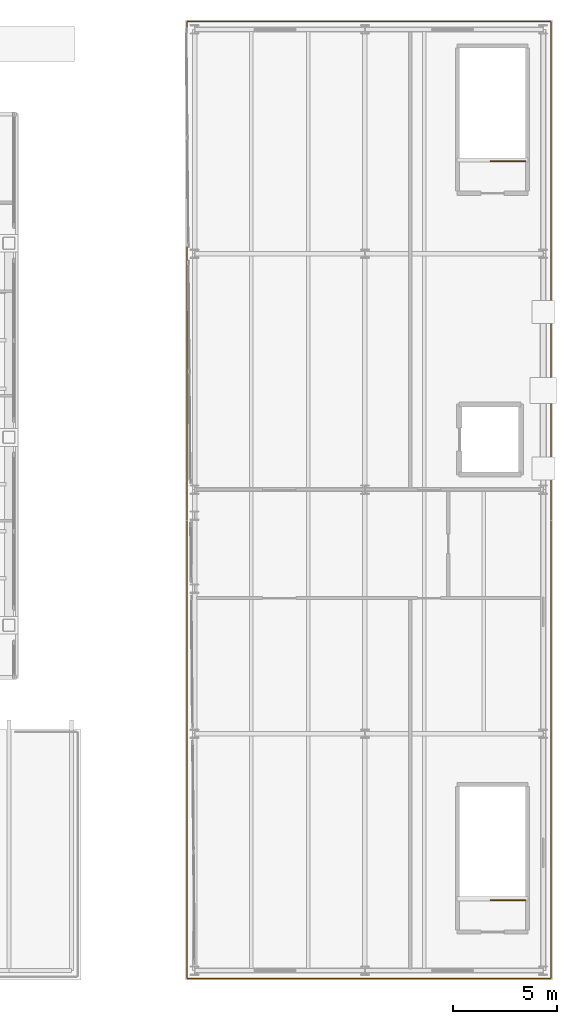
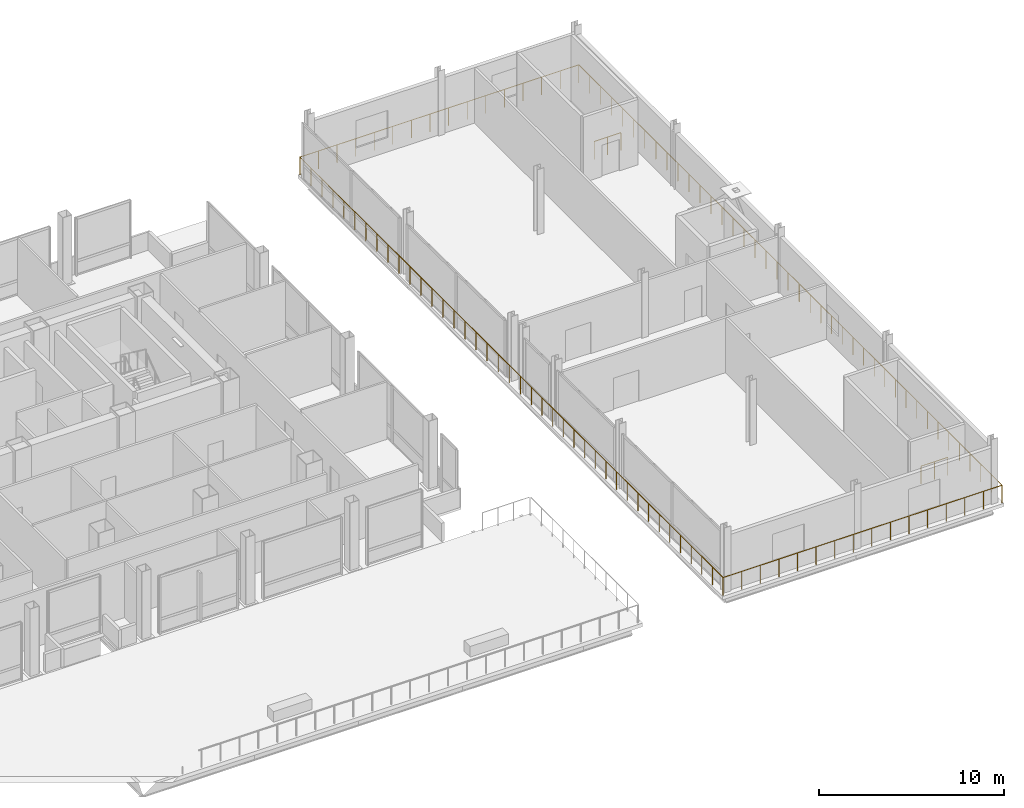
# One storey, part 34 of 34: 4 railings.
"""IFC4 building model written with IfcOpenShell, lengths in metres."""

from ifc_helpers import new_model, si_unit, direction, frame, origin, origin_2d, place, context, subcontext, project, spatial, circle, extrude, material, layer, layer_set, type_object, element, save


model = new_model("IFC4")

# Units and contexts
model_context = context("Model", 3, precision=1e-05, world=origin(), true_north=direction((0.0, 1.0)))
body_context = subcontext(model_context, "Body", "Model", "MODEL_VIEW")
ifc_project = project(units=[si_unit("LENGTHUNIT", "METRE"), si_unit("AREAUNIT", "SQUARE_METRE"), si_unit("VOLUMEUNIT", "CUBIC_METRE"), si_unit("PLANEANGLEUNIT", "RADIAN"), si_unit("MASSUNIT", "GRAM", prefix="KILO")], contexts=[model_context])

# Site, building, storey
site_placement = place(None, origin())
site = spatial("IfcSite", under=ifc_project, at=site_placement, CompositionType="ELEMENT")
building_placement = place(site_placement, origin())
building = spatial("IfcBuilding", under=site, at=building_placement, Name="Noeulbin Bourse Tower", CompositionType="ELEMENT")
storey_placement = place(building_placement, frame((0.0, 0.0, 22.0)))
storey = spatial("IfcBuildingStorey", under=building, at=storey_placement, Name="L05", CompositionType="ELEMENT", Elevation=22.0)

# Railings
ifc_material_1 = material(Name="Painted Tubular Steel S355", Category="steel")
ifc_layer_1 = layer(ifc_material_1, 0.048095703125)
ifc_layer_set_1 = layer_set([ifc_layer_1], Name="Painted Tubular Steel S355")
railing_type_1 = type_object("IfcRailingType", Name="RLG-STR-GRD", PredefinedType="GUARDRAIL", material=ifc_layer_set_1)
for number, where, name in (
    (1, (76.300048828125, 6.830078125, 0.0), "L05 MST-1 top well guard 1"),
    (2, (76.300048828125, 42.22998046875, 0.0), "L05 MST-2 top well guard 1"),
):
    element("IfcRailing", number, at=place(storey_placement, frame(where)), inside=storey, type_object=railing_type_1, Name=name, PredefinedType="GUARDRAIL", context=body_context, shape_type="SweptSolid", body=[
        extrude(circle(Radius=0.02392578125, at=origin_2d()), frame((0.0, 0.0, 1.17578125), z_axis=(-1.0, 0.0, 0.0), x_axis=(0.0, -1.0, 0.0)), (0.0, 0.0, 1.0), 1.679931640625),
        extrude(circle(Radius=0.02099609375, at=origin_2d()), origin(), (0.0, 0.0, 1.0), 1.15185546875),
        extrude(circle(Radius=0.02099609375, at=origin_2d()), frame((-0.83984375, 0.0, 0.0)), (0.0, 0.0, 1.0), 1.15185546875),
        extrude(circle(Radius=0.02099609375, at=origin_2d()), frame((-1.679931640625, 0.0, 0.0)), (0.0, 0.0, 1.0), 1.15185546875),
    ])
ifc_material_2 = material(Name="Stainless Steel 316 Post and Rail", Category="steel")
ifc_layer_2 = layer(ifc_material_2, 0.06005859375)
ifc_layer_set_2 = layer_set([ifc_layer_2], Name="Stainless Steel 316 Post and Rail")
railing_type_2 = type_object("IfcRailingType", Name="RLG-TER-1200", PredefinedType="GUARDRAIL", material=ifc_layer_set_2)
railing_1_placement = place(storey_placement, frame((60.080078125, 25.0, 0.0)))
element("IfcRailing", 3, at=railing_1_placement, inside=storey, type_object=railing_type_2, Name="Market Perimeter Edge Guard L05-1", PredefinedType="GUARDRAIL", context=body_context, shape_type="SweptSolid", body=[
    extrude(circle(Radius=0.02392578125, at=origin_2d()), frame((0.0, 0.0, 1.17578125), z_axis=(0.0, -1.0, 0.0), x_axis=(1.0, 0.0, 0.0)), (0.0, 0.0, 1.0), 21.919921875),
    extrude(circle(Radius=0.02392578125, at=origin_2d()), frame((0.0, -21.919921875, 1.17578125), z_axis=(1.0, 0.0, 0.0), x_axis=(0.0, 1.0, 0.0)), (0.0, 0.0, 1.0), 17.43994140625),
    extrude(circle(Radius=0.02392578125, at=origin_2d()), frame((17.43994140625, -21.919921875, 1.17578125), z_axis=(0.0, 1.0, 0.0), x_axis=(-1.0, 0.0, 0.0)), (0.0, 0.0, 1.0), 21.919921875),
    extrude(circle(Radius=0.02099609375, at=origin_2d()), origin(), (0.0, 0.0, 1.0), 1.15185546875),
    extrude(circle(Radius=0.02099609375, at=origin_2d()), frame((0.0, -1.153564453125, 0.0)), (0.0, 0.0, 1.0), 1.15185546875),
    extrude(circle(Radius=0.02099609375, at=origin_2d()), frame((0.0, -2.307373046875, 0.0)), (0.0, 0.0, 1.0), 1.15185546875),
    extrude(circle(Radius=0.02099609375, at=origin_2d()), frame((0.0, -3.4609375, 0.0)), (0.0, 0.0, 1.0), 1.15185546875),
    extrude(circle(Radius=0.02099609375, at=origin_2d()), frame((0.0, -4.61474609375, 0.0)), (0.0, 0.0, 1.0), 1.15185546875),
    extrude(circle(Radius=0.02099609375, at=origin_2d()), frame((0.0, -5.768310546875, 0.0)), (0.0, 0.0, 1.0), 1.15185546875),
    extrude(circle(Radius=0.02099609375, at=origin_2d()), frame((0.0, -6.922119140625, 0.0)), (0.0, 0.0, 1.0), 1.15185546875),
    extrude(circle(Radius=0.02099609375, at=origin_2d()), frame((0.0, -8.07568359375, 0.0)), (0.0, 0.0, 1.0), 1.15185546875),
    extrude(circle(Radius=0.02099609375, at=origin_2d()), frame((0.0, -9.2294921875, 0.0)), (0.0, 0.0, 1.0), 1.15185546875),
    extrude(circle(Radius=0.02099609375, at=origin_2d()), frame((0.0, -10.383056640625, 0.0)), (0.0, 0.0, 1.0), 1.15185546875),
    extrude(circle(Radius=0.02099609375, at=origin_2d()), frame((0.0, -11.536865234375, 0.0)), (0.0, 0.0, 1.0), 1.15185546875),
    extrude(circle(Radius=0.02099609375, at=origin_2d()), frame((0.0, -12.6904296875, 0.0)), (0.0, 0.0, 1.0), 1.15185546875),
    extrude(circle(Radius=0.02099609375, at=origin_2d()), frame((0.0, -13.84423828125, 0.0)), (0.0, 0.0, 1.0), 1.15185546875),
    extrude(circle(Radius=0.02099609375, at=origin_2d()), frame((0.0, -14.997802734375, 0.0)), (0.0, 0.0, 1.0), 1.15185546875),
    extrude(circle(Radius=0.02099609375, at=origin_2d()), frame((0.0, -16.151611328125, 0.0)), (0.0, 0.0, 1.0), 1.15185546875),
    extrude(circle(Radius=0.02099609375, at=origin_2d()), frame((0.0, -17.30517578125, 0.0)), (0.0, 0.0, 1.0), 1.15185546875),
    extrude(circle(Radius=0.02099609375, at=origin_2d()), frame((0.0, -18.458984375, 0.0)), (0.0, 0.0, 1.0), 1.15185546875),
    extrude(circle(Radius=0.02099609375, at=origin_2d()), frame((0.0, -19.612548828125, 0.0)), (0.0, 0.0, 1.0), 1.15185546875),
    extrude(circle(Radius=0.02099609375, at=origin_2d()), frame((0.0, -20.766357421875, 0.0)), (0.0, 0.0, 1.0), 1.15185546875),
    extrude(circle(Radius=0.02099609375, at=origin_2d()), frame((0.0, -21.919921875, 0.0)), (0.0, 0.0, 1.0), 1.15185546875),
    extrude(circle(Radius=0.02099609375, at=origin_2d()), frame((1.16259765625, -21.919921875, 0.0)), (0.0, 0.0, 1.0), 1.15185546875),
    extrude(circle(Radius=0.02099609375, at=origin_2d()), frame((2.325439453125, -21.919921875, 0.0)), (0.0, 0.0, 1.0), 1.15185546875),
    extrude(circle(Radius=0.02099609375, at=origin_2d()), frame((3.488037109375, -21.919921875, 0.0)), (0.0, 0.0, 1.0), 1.15185546875),
    extrude(circle(Radius=0.02099609375, at=origin_2d()), frame((4.650634765625, -21.919921875, 0.0)), (0.0, 0.0, 1.0), 1.15185546875),
    extrude(circle(Radius=0.02099609375, at=origin_2d()), frame((5.813232421875, -21.919921875, 0.0)), (0.0, 0.0, 1.0), 1.15185546875),
    extrude(circle(Radius=0.02099609375, at=origin_2d()), frame((6.97607421875, -21.919921875, 0.0)), (0.0, 0.0, 1.0), 1.15185546875),
    extrude(circle(Radius=0.02099609375, at=origin_2d()), frame((8.138671875, -21.919921875, 0.0)), (0.0, 0.0, 1.0), 1.15185546875),
    extrude(circle(Radius=0.02099609375, at=origin_2d()), frame((9.30126953125, -21.919921875, 0.0)), (0.0, 0.0, 1.0), 1.15185546875),
    extrude(circle(Radius=0.02099609375, at=origin_2d()), frame((10.4638671875, -21.919921875, 0.0)), (0.0, 0.0, 1.0), 1.15185546875),
    extrude(circle(Radius=0.02099609375, at=origin_2d()), frame((11.626708984375, -21.919921875, 0.0)), (0.0, 0.0, 1.0), 1.15185546875),
    extrude(circle(Radius=0.02099609375, at=origin_2d()), frame((12.789306640625, -21.919921875, 0.0)), (0.0, 0.0, 1.0), 1.15185546875),
    extrude(circle(Radius=0.02099609375, at=origin_2d()), frame((13.951904296875, -21.919921875, 0.0)), (0.0, 0.0, 1.0), 1.15185546875),
    extrude(circle(Radius=0.02099609375, at=origin_2d()), frame((15.114501953125, -21.919921875, 0.0)), (0.0, 0.0, 1.0), 1.15185546875),
    extrude(circle(Radius=0.02099609375, at=origin_2d()), frame((16.27734375, -21.919921875, 0.0)), (0.0, 0.0, 1.0), 1.15185546875),
    extrude(circle(Radius=0.02099609375, at=origin_2d()), frame((17.43994140625, -21.919921875, 0.0)), (0.0, 0.0, 1.0), 1.15185546875),
    extrude(circle(Radius=0.02099609375, at=origin_2d()), frame((17.43994140625, -20.766357421875, 0.0)), (0.0, 0.0, 1.0), 1.15185546875),
    extrude(circle(Radius=0.02099609375, at=origin_2d()), frame((17.43994140625, -19.612548828125, 0.0)), (0.0, 0.0, 1.0), 1.15185546875),
    extrude(circle(Radius=0.02099609375, at=origin_2d()), frame((17.43994140625, -18.458984375, 0.0)), (0.0, 0.0, 1.0), 1.15185546875),
    extrude(circle(Radius=0.02099609375, at=origin_2d()), frame((17.43994140625, -17.30517578125, 0.0)), (0.0, 0.0, 1.0), 1.15185546875),
    extrude(circle(Radius=0.02099609375, at=origin_2d()), frame((17.43994140625, -16.151611328125, 0.0)), (0.0, 0.0, 1.0), 1.15185546875),
    extrude(circle(Radius=0.02099609375, at=origin_2d()), frame((17.43994140625, -14.997802734375, 0.0)), (0.0, 0.0, 1.0), 1.15185546875),
    extrude(circle(Radius=0.02099609375, at=origin_2d()), frame((17.43994140625, -13.84423828125, 0.0)), (0.0, 0.0, 1.0), 1.15185546875),
    extrude(circle(Radius=0.02099609375, at=origin_2d()), frame((17.43994140625, -12.6904296875, 0.0)), (0.0, 0.0, 1.0), 1.15185546875),
    extrude(circle(Radius=0.02099609375, at=origin_2d()), frame((17.43994140625, -11.536865234375, 0.0)), (0.0, 0.0, 1.0), 1.15185546875),
    extrude(circle(Radius=0.02099609375, at=origin_2d()), frame((17.43994140625, -10.383056640625, 0.0)), (0.0, 0.0, 1.0), 1.15185546875),
    extrude(circle(Radius=0.02099609375, at=origin_2d()), frame((17.43994140625, -9.2294921875, 0.0)), (0.0, 0.0, 1.0), 1.15185546875),
    extrude(circle(Radius=0.02099609375, at=origin_2d()), frame((17.43994140625, -8.07568359375, 0.0)), (0.0, 0.0, 1.0), 1.15185546875),
    extrude(circle(Radius=0.02099609375, at=origin_2d()), frame((17.43994140625, -6.922119140625, 0.0)), (0.0, 0.0, 1.0), 1.15185546875),
    extrude(circle(Radius=0.02099609375, at=origin_2d()), frame((17.43994140625, -5.768310546875, 0.0)), (0.0, 0.0, 1.0), 1.15185546875),
    extrude(circle(Radius=0.02099609375, at=origin_2d()), frame((17.43994140625, -4.61474609375, 0.0)), (0.0, 0.0, 1.0), 1.15185546875),
    extrude(circle(Radius=0.02099609375, at=origin_2d()), frame((17.43994140625, -3.4609375, 0.0)), (0.0, 0.0, 1.0), 1.15185546875),
    extrude(circle(Radius=0.02099609375, at=origin_2d()), frame((17.43994140625, -2.307373046875, 0.0)), (0.0, 0.0, 1.0), 1.15185546875),
    extrude(circle(Radius=0.02099609375, at=origin_2d()), frame((17.43994140625, -1.153564453125, 0.0)), (0.0, 0.0, 1.0), 1.15185546875),
    extrude(circle(Radius=0.02099609375, at=origin_2d()), frame((17.43994140625, 0.0, 0.0)), (0.0, 0.0, 1.0), 1.15185546875),
])
railing_2_placement = place(storey_placement, frame((77.52001953125, 25.06005859375, 0.0)))
element("IfcRailing", 4, at=railing_2_placement, inside=storey, type_object=railing_type_2, Name="Market Perimeter Edge Guard L05-2", PredefinedType="GUARDRAIL", context=body_context, shape_type="SweptSolid", body=[
    extrude(circle(Radius=0.02392578125, at=origin_2d()), frame((0.0, 0.0, 1.17578125), z_axis=(0.0, 1.0, 0.0), x_axis=(-1.0, 0.0, 0.0)), (0.0, 0.0, 1.0), 23.85986328125),
    extrude(circle(Radius=0.02392578125, at=origin_2d()), frame((0.0, 23.85986328125, 1.17578125), z_axis=(-1.0, 0.0, 0.0), x_axis=(0.0, -1.0, 0.0)), (0.0, 0.0, 1.0), 17.43994140625),
    extrude(circle(Radius=0.02392578125, at=origin_2d()), frame((-17.43994140625, 23.85986328125, 1.17578125), z_axis=(0.0, -1.0, 0.0), x_axis=(1.0, 0.0, 0.0)), (0.0, 0.0, 1.0), 23.85986328125),
    extrude(circle(Radius=0.02099609375, at=origin_2d()), origin(), (0.0, 0.0, 1.0), 1.15185546875),
    extrude(circle(Radius=0.02099609375, at=origin_2d()), frame((0.0, 1.19287109375, 0.0)), (0.0, 0.0, 1.0), 1.15185546875),
    extrude(circle(Radius=0.02099609375, at=origin_2d()), frame((0.0, 2.385986328125, 0.0)), (0.0, 0.0, 1.0), 1.15185546875),
    extrude(circle(Radius=0.02099609375, at=origin_2d()), frame((0.0, 3.5791015625, 0.0)), (0.0, 0.0, 1.0), 1.15185546875),
    extrude(circle(Radius=0.02099609375, at=origin_2d()), frame((0.0, 4.77197265625, 0.0)), (0.0, 0.0, 1.0), 1.15185546875),
    extrude(circle(Radius=0.02099609375, at=origin_2d()), frame((0.0, 5.96484375, 0.0)), (0.0, 0.0, 1.0), 1.15185546875),
    extrude(circle(Radius=0.02099609375, at=origin_2d()), frame((0.0, 7.157958984375, 0.0)), (0.0, 0.0, 1.0), 1.15185546875),
    extrude(circle(Radius=0.02099609375, at=origin_2d()), frame((0.0, 8.35107421875, 0.0)), (0.0, 0.0, 1.0), 1.15185546875),
    extrude(circle(Radius=0.02099609375, at=origin_2d()), frame((0.0, 9.5439453125, 0.0)), (0.0, 0.0, 1.0), 1.15185546875),
    extrude(circle(Radius=0.02099609375, at=origin_2d()), frame((0.0, 10.73681640625, 0.0)), (0.0, 0.0, 1.0), 1.15185546875),
    extrude(circle(Radius=0.02099609375, at=origin_2d()), frame((0.0, 11.929931640625, 0.0)), (0.0, 0.0, 1.0), 1.15185546875),
    extrude(circle(Radius=0.02099609375, at=origin_2d()), frame((0.0, 13.123046875, 0.0)), (0.0, 0.0, 1.0), 1.15185546875),
    extrude(circle(Radius=0.02099609375, at=origin_2d()), frame((0.0, 14.31591796875, 0.0)), (0.0, 0.0, 1.0), 1.15185546875),
    extrude(circle(Radius=0.02099609375, at=origin_2d()), frame((0.0, 15.5087890625, 0.0)), (0.0, 0.0, 1.0), 1.15185546875),
    extrude(circle(Radius=0.02099609375, at=origin_2d()), frame((0.0, 16.701904296875, 0.0)), (0.0, 0.0, 1.0), 1.15185546875),
    extrude(circle(Radius=0.02099609375, at=origin_2d()), frame((0.0, 17.89501953125, 0.0)), (0.0, 0.0, 1.0), 1.15185546875),
    extrude(circle(Radius=0.02099609375, at=origin_2d()), frame((0.0, 19.087890625, 0.0)), (0.0, 0.0, 1.0), 1.15185546875),
    extrude(circle(Radius=0.02099609375, at=origin_2d()), frame((0.0, 20.28076171875, 0.0)), (0.0, 0.0, 1.0), 1.15185546875),
    extrude(circle(Radius=0.02099609375, at=origin_2d()), frame((0.0, 21.473876953125, 0.0)), (0.0, 0.0, 1.0), 1.15185546875),
    extrude(circle(Radius=0.02099609375, at=origin_2d()), frame((0.0, 22.6669921875, 0.0)), (0.0, 0.0, 1.0), 1.15185546875),
    extrude(circle(Radius=0.02099609375, at=origin_2d()), frame((0.0, 23.85986328125, 0.0)), (0.0, 0.0, 1.0), 1.15185546875),
    extrude(circle(Radius=0.02099609375, at=origin_2d()), frame((-1.16259765625, 23.85986328125, 0.0)), (0.0, 0.0, 1.0), 1.15185546875),
    extrude(circle(Radius=0.02099609375, at=origin_2d()), frame((-2.325439453125, 23.85986328125, 0.0)), (0.0, 0.0, 1.0), 1.15185546875),
    extrude(circle(Radius=0.02099609375, at=origin_2d()), frame((-3.488037109375, 23.85986328125, 0.0)), (0.0, 0.0, 1.0), 1.15185546875),
    extrude(circle(Radius=0.02099609375, at=origin_2d()), frame((-4.650634765625, 23.85986328125, 0.0)), (0.0, 0.0, 1.0), 1.15185546875),
    extrude(circle(Radius=0.02099609375, at=origin_2d()), frame((-5.813232421875, 23.85986328125, 0.0)), (0.0, 0.0, 1.0), 1.15185546875),
    extrude(circle(Radius=0.02099609375, at=origin_2d()), frame((-6.97607421875, 23.85986328125, 0.0)), (0.0, 0.0, 1.0), 1.15185546875),
    extrude(circle(Radius=0.02099609375, at=origin_2d()), frame((-8.138671875, 23.85986328125, 0.0)), (0.0, 0.0, 1.0), 1.15185546875),
    extrude(circle(Radius=0.02099609375, at=origin_2d()), frame((-9.30126953125, 23.85986328125, 0.0)), (0.0, 0.0, 1.0), 1.15185546875),
    extrude(circle(Radius=0.02099609375, at=origin_2d()), frame((-10.4638671875, 23.85986328125, 0.0)), (0.0, 0.0, 1.0), 1.15185546875),
    extrude(circle(Radius=0.02099609375, at=origin_2d()), frame((-11.626708984375, 23.85986328125, 0.0)), (0.0, 0.0, 1.0), 1.15185546875),
    extrude(circle(Radius=0.02099609375, at=origin_2d()), frame((-12.789306640625, 23.85986328125, 0.0)), (0.0, 0.0, 1.0), 1.15185546875),
    extrude(circle(Radius=0.02099609375, at=origin_2d()), frame((-13.951904296875, 23.85986328125, 0.0)), (0.0, 0.0, 1.0), 1.15185546875),
    extrude(circle(Radius=0.02099609375, at=origin_2d()), frame((-15.114501953125, 23.85986328125, 0.0)), (0.0, 0.0, 1.0), 1.15185546875),
    extrude(circle(Radius=0.02099609375, at=origin_2d()), frame((-16.27734375, 23.85986328125, 0.0)), (0.0, 0.0, 1.0), 1.15185546875),
    extrude(circle(Radius=0.02099609375, at=origin_2d()), frame((-17.43994140625, 23.85986328125, 0.0)), (0.0, 0.0, 1.0), 1.15185546875),
    extrude(circle(Radius=0.02099609375, at=origin_2d()), frame((-17.43994140625, 22.6669921875, 0.0)), (0.0, 0.0, 1.0), 1.15185546875),
    extrude(circle(Radius=0.02099609375, at=origin_2d()), frame((-17.43994140625, 21.473876953125, 0.0)), (0.0, 0.0, 1.0), 1.15185546875),
    extrude(circle(Radius=0.02099609375, at=origin_2d()), frame((-17.43994140625, 20.28076171875, 0.0)), (0.0, 0.0, 1.0), 1.15185546875),
    extrude(circle(Radius=0.02099609375, at=origin_2d()), frame((-17.43994140625, 19.087890625, 0.0)), (0.0, 0.0, 1.0), 1.15185546875),
    extrude(circle(Radius=0.02099609375, at=origin_2d()), frame((-17.43994140625, 17.89501953125, 0.0)), (0.0, 0.0, 1.0), 1.15185546875),
    extrude(circle(Radius=0.02099609375, at=origin_2d()), frame((-17.43994140625, 16.701904296875, 0.0)), (0.0, 0.0, 1.0), 1.15185546875),
    extrude(circle(Radius=0.02099609375, at=origin_2d()), frame((-17.43994140625, 15.5087890625, 0.0)), (0.0, 0.0, 1.0), 1.15185546875),
    extrude(circle(Radius=0.02099609375, at=origin_2d()), frame((-17.43994140625, 14.31591796875, 0.0)), (0.0, 0.0, 1.0), 1.15185546875),
    extrude(circle(Radius=0.02099609375, at=origin_2d()), frame((-17.43994140625, 13.123046875, 0.0)), (0.0, 0.0, 1.0), 1.15185546875),
    extrude(circle(Radius=0.02099609375, at=origin_2d()), frame((-17.43994140625, 11.929931640625, 0.0)), (0.0, 0.0, 1.0), 1.15185546875),
    extrude(circle(Radius=0.02099609375, at=origin_2d()), frame((-17.43994140625, 10.73681640625, 0.0)), (0.0, 0.0, 1.0), 1.15185546875),
    extrude(circle(Radius=0.02099609375, at=origin_2d()), frame((-17.43994140625, 9.5439453125, 0.0)), (0.0, 0.0, 1.0), 1.15185546875),
    extrude(circle(Radius=0.02099609375, at=origin_2d()), frame((-17.43994140625, 8.35107421875, 0.0)), (0.0, 0.0, 1.0), 1.15185546875),
    extrude(circle(Radius=0.02099609375, at=origin_2d()), frame((-17.43994140625, 7.157958984375, 0.0)), (0.0, 0.0, 1.0), 1.15185546875),
    extrude(circle(Radius=0.02099609375, at=origin_2d()), frame((-17.43994140625, 5.96484375, 0.0)), (0.0, 0.0, 1.0), 1.15185546875),
    extrude(circle(Radius=0.02099609375, at=origin_2d()), frame((-17.43994140625, 4.77197265625, 0.0)), (0.0, 0.0, 1.0), 1.15185546875),
    extrude(circle(Radius=0.02099609375, at=origin_2d()), frame((-17.43994140625, 3.5791015625, 0.0)), (0.0, 0.0, 1.0), 1.15185546875),
    extrude(circle(Radius=0.02099609375, at=origin_2d()), frame((-17.43994140625, 2.385986328125, 0.0)), (0.0, 0.0, 1.0), 1.15185546875),
    extrude(circle(Radius=0.02099609375, at=origin_2d()), frame((-17.43994140625, 1.19287109375, 0.0)), (0.0, 0.0, 1.0), 1.15185546875),
    extrude(circle(Radius=0.02099609375, at=origin_2d()), frame((-17.43994140625, 0.0, 0.0)), (0.0, 0.0, 1.0), 1.15185546875),
])

save(model, "model.ifc")
